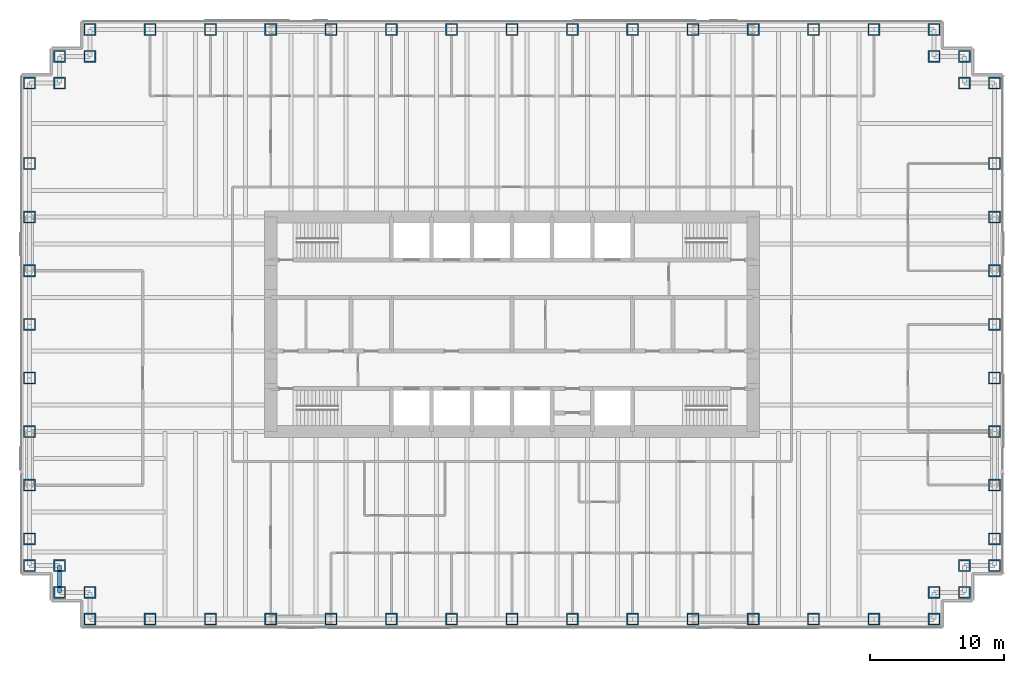
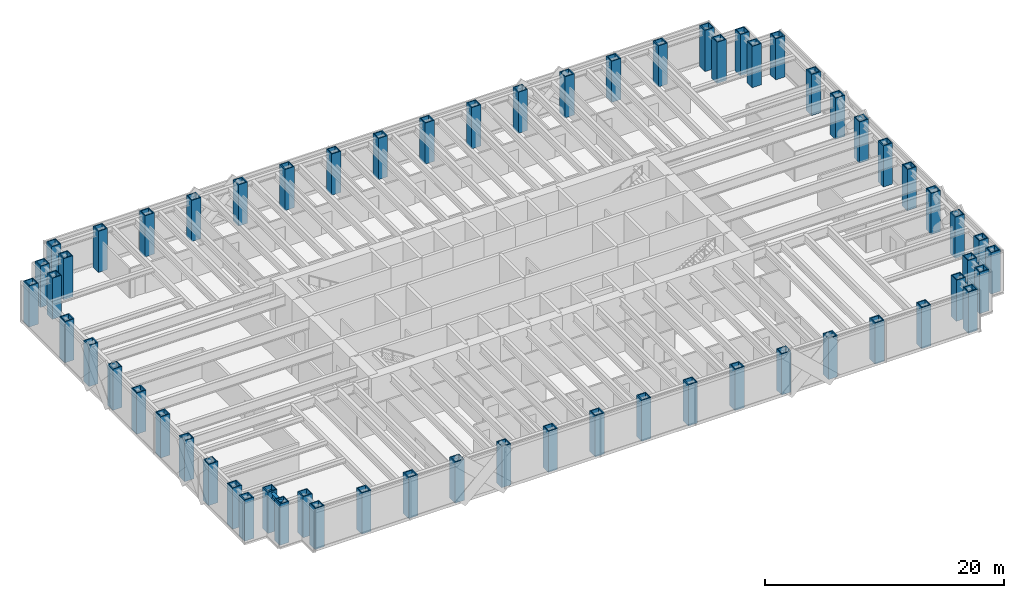
# One storey, part 1 of 19: 62 columns, 1 beam.
"""IFC4 building model written with IfcOpenShell, lengths in metres."""

import ifcopenshell
import ifcopenshell.guid

model = None  # the IFC model being written
_history = None  # IfcOwnerHistory: only IFC2X3 demands one
_inside = {}  # id of a spatial element -> (the spatial element, [elements in it])
_under = {}  # id of a project, library or spatial element -> (it, [spatial elements below it])
_declared = {}  # id of a project -> (the project, [libraries it declares])
_typed = {}  # id of a type object -> (the type object, [elements of that type])
_made_of = {}  # id of a material, layer set ... -> (it, [elements and type objects made of it])


def new_model(schema):
    """Start an empty IFC model of exactly this schema.

    Asked for "IFC4X3", IfcOpenShell would pick the latest addendum, in which some entities
    have other attributes; the version numbers below select the first issue.
    IFC2X3 requires an IfcOwnerHistory on every rooted entity: one is made here for all.
    """
    global model, _history
    if schema == "IFC4X3":
        model = ifcopenshell.file(schema_version=(4, 3, 0, 0))
    else:
        model = ifcopenshell.file(schema=schema)
    _inside.clear()
    _under.clear()
    _declared.clear()
    _typed.clear()
    _made_of.clear()
    _history = None
    if model.schema == "IFC2X3":
        org = make("IfcOrganization", Name="unknown")
        user = make(
            "IfcPersonAndOrganization",
            ThePerson=make("IfcPerson", FamilyName="unknown"),
            TheOrganization=org,
        )
        app = make(
            "IfcApplication",
            ApplicationDeveloper=org,
            Version="unknown",
            ApplicationFullName="unknown",
            ApplicationIdentifier="unknown",
        )
        _history = make(
            "IfcOwnerHistory",
            OwningUser=user,
            OwningApplication=app,
            ChangeAction="ADDED",
            CreationDate=0,
        )
    return model


def make(cls, **values):
    """One entity of the class cls with the attributes given. An attribute that is None is left unset."""
    return model.create_entity(
        cls, **{name: value for name, value in values.items() if value is not None}
    )


def rooted(cls, **values):
    """An entity with a GlobalId (a new one), such as an element, a storey or a relation."""
    return make(cls, GlobalId=ifcopenshell.guid.new(), OwnerHistory=_history, **values)


def si_unit(unit_type, name, prefix=None):
    """IfcSIUnit, for example si_unit("LENGTHUNIT", "METRE", prefix="MILLI")."""
    return make("IfcSIUnit", UnitType=unit_type, Prefix=prefix, Name=name)


def assignment(units):
    """IfcUnitAssignment: the units of a project."""
    return None if units is None else make("IfcUnitAssignment", Units=units)


def point(xyz):
    """IfcCartesianPoint."""
    return None if xyz is None else make("IfcCartesianPoint", Coordinates=xyz)


def direction(xyz):
    """IfcDirection."""
    return None if xyz is None else make("IfcDirection", DirectionRatios=xyz)


def frame(location, z_axis=None, x_axis=None):
    """IfcAxis2Placement3D, a coordinate frame: its origin and axes. An axis left out is left unset."""
    return make(
        "IfcAxis2Placement3D",
        Location=point(location),
        Axis=direction(z_axis),
        RefDirection=direction(x_axis),
    )


def frame_2d(location, x_axis=None):
    """IfcAxis2Placement2D, a coordinate frame in the plane: its origin and x axis."""
    return make(
        "IfcAxis2Placement2D", Location=point(location), RefDirection=direction(x_axis)
    )


def origin():
    """The frame at (0, 0, 0) with its axes left unset."""
    return frame((0.0, 0.0, 0.0))


def origin_2d():
    """The frame at (0, 0) in the plane with its x axis left unset."""
    return frame_2d((0.0, 0.0))


def place(relative_to, where):
    """IfcLocalPlacement: puts the frame where relative to a parent placement (None: the world)."""
    return make(
        "IfcLocalPlacement", PlacementRelTo=relative_to, RelativePlacement=where
    )


def context(
    kind, dimensions, precision=None, world=None, true_north=None, identifier=None
):
    """IfcGeometricRepresentationContext, for example the 3D "Model" context."""
    return make(
        "IfcGeometricRepresentationContext",
        ContextIdentifier=identifier,
        ContextType=kind,
        CoordinateSpaceDimension=dimensions,
        Precision=precision,
        WorldCoordinateSystem=world,
        TrueNorth=true_north,
    )


def subcontext(parent, identifier, kind, view, scale=None):
    """IfcGeometricRepresentationSubContext, for example "Body" below "Model"."""
    return make(
        "IfcGeometricRepresentationSubContext",
        ContextIdentifier=identifier,
        ContextType=kind,
        ParentContext=parent,
        TargetScale=scale,
        TargetView=view,
    )


def project(units=None, contexts=None):
    """IfcProject with its units and contexts."""
    return rooted(
        "IfcProject",
        Name="project",
        RepresentationContexts=contexts,
        UnitsInContext=assignment(units),
    )


def spatial(cls, under=None, at=None, **own):
    """A site, building, storey or space (cls), placed at a placement, below another one or the project."""
    s = rooted(cls, ObjectPlacement=at, **own)
    if under is not None:
        _under.setdefault(under.id(), (under, []))[1].append(s)
    return s


def profile(cls, at=None, kind="AREA", **sizes):
    """A parametric profile (cls). Its sizes go by their IFC names, for example OverallWidth=200.0."""
    return make(cls, ProfileType=kind, Position=at, **sizes)


def hollow_rectangle(**sizes):
    """IfcRectangleHollowProfileDef."""
    return profile("IfcRectangleHollowProfileDef", **sizes)


def i_section(**sizes):
    """IfcIShapeProfileDef."""
    return profile("IfcIShapeProfileDef", **sizes)


def extrude(swept, where, along, depth):
    """IfcExtrudedAreaSolid: the profile swept, set in the frame where, extruded along a direction by depth."""
    return make(
        "IfcExtrudedAreaSolid",
        SweptArea=swept,
        Position=where,
        ExtrudedDirection=direction(along),
        Depth=depth,
    )


def shape(context_of_items, identifier, shape_type, items):
    """IfcShapeRepresentation: the items that make up one representation, for example the "Body"."""
    return make(
        "IfcShapeRepresentation",
        ContextOfItems=context_of_items,
        RepresentationIdentifier=identifier,
        RepresentationType=shape_type,
        Items=items,
    )


def material(Name=None, Category=None):
    """IfcMaterial."""
    return make("IfcMaterial", Name=Name, Category=Category)


def material_profile(
    of_material, cross_section, Name=None, Category=None, Priority=None
):
    """IfcMaterialProfile: a cross section and its material."""
    return make(
        "IfcMaterialProfile",
        Name=Name,
        Material=of_material,
        Profile=cross_section,
        Priority=Priority,
        Category=Category,
    )


def profile_set(profiles, Name=None, composite=None):
    """IfcMaterialProfileSet."""
    return make(
        "IfcMaterialProfileSet",
        Name=Name,
        MaterialProfiles=profiles,
        CompositeProfile=composite,
    )


def made_of(thing, what):
    """Note that an element or type object is made of a material, layer set ...; save() writes the relation."""
    if what is not None:
        _made_of.setdefault(what.id(), (what, []))[1].append(thing)
    return thing


def type_object(cls, material=None, **own):
    """A type object (cls), such as IfcWallType, which elements share."""
    return made_of(rooted(cls, **own), material)


def element(
    cls,
    number,
    at=None,
    inside=None,
    cuts=None,
    type_object=None,
    material=None,
    context=None,
    identifier="Body",
    shape_type=None,
    held_by="IfcProductDefinitionShape",
    body=None,
    shapes=None,
    **own,
):
    """One element of the class cls, such as IfcWall. Its Tag is "e" and its number.

    at: its placement. inside: the storey or other place that contains it. cuts: it is an
    opening in that element (IfcRelVoidsElement). A single representation is given by context,
    identifier, shape_type and body (its items); several are given by shapes. held_by: the class
    of the entity that holds the representations. save() writes the other relations.
    """
    e = rooted(cls, Tag="e%d" % number, ObjectPlacement=at, **own)
    if body is not None:
        shapes = [shape(context, identifier, shape_type, body)]
    if shapes is not None:
        e.Representation = make(held_by, Representations=shapes)
    if inside is not None:
        _inside.setdefault(inside.id(), (inside, []))[1].append(e)
    if cuts is not None:
        rooted(
            "IfcRelVoidsElement", RelatingBuildingElement=cuts, RelatedOpeningElement=e
        )
    if type_object is not None:
        _typed.setdefault(type_object.id(), (type_object, []))[1].append(e)
    return made_of(e, material)


def aggregate(whole, parts):
    """IfcRelAggregates: a whole, such as a stair, and the parts it consists of."""
    return rooted("IfcRelAggregates", RelatingObject=whole, RelatedObjects=parts)


def save(model, path):
    """Write the relations noted so far, then the file.

    IfcRelAggregates (storeys below a building ...), IfcRelContainedInSpatialStructure (elements
    in a storey), IfcRelDefinesByType, IfcRelAssociatesMaterial and IfcRelDeclares: one each for
    every whole, place, type object, material and project.
    """
    for whole, parts in _under.values():
        aggregate(whole, parts)
    for where, things in _inside.values():
        rooted(
            "IfcRelContainedInSpatialStructure",
            RelatedElements=things,
            RelatingStructure=where,
        )
    for kind, things in _typed.values():
        rooted("IfcRelDefinesByType", RelatedObjects=things, RelatingType=kind)
    for what, things in _made_of.values():
        rooted("IfcRelAssociatesMaterial", RelatedObjects=things, RelatingMaterial=what)
    for by, libraries in _declared.values():
        rooted("IfcRelDeclares", RelatingContext=by, RelatedDefinitions=libraries)
    model.write(path)


model = new_model("IFC4")

# Units and contexts
model_context = context("Model", 3, precision=1e-05, world=origin(), true_north=direction((0.0, 1.0)))
body_context = subcontext(model_context, "Body", "Model", "MODEL_VIEW")
ifc_project = project(units=[si_unit("LENGTHUNIT", "METRE"), si_unit("AREAUNIT", "SQUARE_METRE"), si_unit("VOLUMEUNIT", "CUBIC_METRE"), si_unit("PLANEANGLEUNIT", "RADIAN"), si_unit("MASSUNIT", "GRAM", prefix="KILO")], contexts=[model_context])

# Site, building, storey
site_placement = place(None, origin())
site = spatial("IfcSite", under=ifc_project, at=site_placement, CompositionType="ELEMENT")
building_placement = place(site_placement, origin())
building = spatial("IfcBuilding", under=site, at=building_placement, Name="Rheinbord Bourse Tower", CompositionType="ELEMENT")
storey_placement = place(building_placement, frame((0.0, 0.0, 167.699951171875)))
storey = spatial("IfcBuildingStorey", under=building, at=storey_placement, Name="L37", CompositionType="ELEMENT", Elevation=167.699951171875)

# Columns
ifc_material_1 = material(Name="Steel S460M", Category="steel")
ifc_material_profile_1 = material_profile(ifc_material_1, hollow_rectangle(XDim=0.89990234375, YDim=0.89990234375, WallThickness=0.090087890625, at=origin_2d()), Name="BOX 900x900x90")
ifc_profile_set_1 = profile_set([ifc_material_profile_1], Name="Steel S460M")
column_type = type_object("IfcColumnType", Name="TUBE COLUMN BOX 900x900x90", PredefinedType="COLUMN", material=ifc_profile_set_1)
for number, where, z_axis, x_axis, name in (
    (1, (4.5, 2.0, 0.0), (0.0, 0.0, 1.0), (0.0, 1.0, 0.0), "Column SW-E L37"),
    (2, (9.0, 2.0, 0.0), (0.0, 0.0, 1.0), (0.0, 1.0, 0.0), "Column S-9 L37"),
    (3, (13.5, 2.0, 0.0), (0.0, 0.0, 1.0), (0.0, 1.0, 0.0), "Column S-13.5 L37"),
    (4, (18.0, 2.0, 0.0), (0.0, 0.0, 1.0), (0.0, 1.0, 0.0), "Column S-18 L37"),
    (5, (22.5, 2.0, 0.0), (0.0, 0.0, 1.0), (0.0, 1.0, 0.0), "Column S-22.5 L37"),
    (6, (27.0, 2.0, 0.0), (0.0, 0.0, 1.0), (0.0, 1.0, 0.0), "Column S-27 L37"),
    (7, (31.5, 2.0, 0.0), (0.0, 0.0, 1.0), (0.0, 1.0, 0.0), "Column S-31.5 L37"),
    (8, (36.0, 2.0, 0.0), (0.0, 0.0, 1.0), (0.0, 1.0, 0.0), "Column S-36 L37"),
    (9, (40.5, 2.0, 0.0), (0.0, 0.0, 1.0), (0.0, 1.0, 0.0), "Column S-40.5 L37"),
    (10, (45.0, 2.0, 0.0), (0.0, 0.0, 1.0), (0.0, 1.0, 0.0), "Column S-45 L37"),
    (11, (49.5, 2.0, 0.0), (0.0, 0.0, 1.0), (0.0, 1.0, 0.0), "Column S-49.5 L37"),
    (12, (54.0, 2.0, 0.0), (0.0, 0.0, 1.0), (0.0, 1.0, 0.0), "Column S-54 L37"),
    (13, (58.5, 2.0, 0.0), (0.0, 0.0, 1.0), (0.0, 1.0, 0.0), "Column S-58.5 L37"),
    (14, (63.0, 2.0, 0.0), (0.0, 0.0, 1.0), (0.0, 1.0, 0.0), "Column S-63 L37"),
    (15, (67.5, 2.0, 0.0), (0.0, 0.0, 1.0), (0.0, 1.0, 0.0), "Column SE-E L37"),
    (16, (67.5, 4.0, 0.0), (0.0, 0.0, 1.0), (0.0, 1.0, 0.0), "Column SE-D L37"),
    (17, (69.75, 4.0, 0.0), (0.0, 0.0, 1.0), (1.0, 0.0, 0.0), "Column SE-C L37"),
    (18, (69.75, 6.0, 0.0), (0.0, 0.0, 1.0), (1.0, 0.0, 0.0), "Column SE-B L37"),
    (19, (72.0, 6.0, 0.0), (0.0, 0.0, 1.0), (1.0, 0.0, 0.0), "Column SE-A L37"),
    (20, (72.0, 8.0, 0.0), (0.0, 0.0, 1.0), (1.0, 0.0, 0.0), "Column E-8 L37"),
    (21, (72.0, 12.0, 0.0), (0.0, 0.0, 1.0), (1.0, 0.0, 0.0), "Column E-12 L37"),
    (22, (72.0, 16.0, 0.0), (0.0, 0.0, 1.0), (1.0, 0.0, 0.0), "Column E-16 L37"),
    (23, (72.0, 20.0, 0.0), (0.0, 0.0, 1.0), (1.0, 0.0, 0.0), "Column E-20 L37"),
    (24, (72.0, 24.0, 0.0), (0.0, 0.0, 1.0), (1.0, 0.0, 0.0), "Column E-24 L37"),
    (25, (72.0, 28.0, 0.0), (0.0, 0.0, 1.0), (1.0, 0.0, 0.0), "Column E-28 L37"),
    (26, (72.0, 32.0, 0.0), (0.0, 0.0, 1.0), (1.0, 0.0, 0.0), "Column E-32 L37"),
    (27, (72.0, 36.0, 0.0), (0.0, 0.0, 1.0), (1.0, 0.0, 0.0), "Column E-36 L37"),
    (28, (72.0, 42.0, 0.0), (0.0, 0.0, 1.0), (1.0, 0.0, 0.0), "Column NE-A L37"),
    (29, (69.75, 42.0, 0.0), (0.0, 0.0, 1.0), (1.0, 0.0, 0.0), "Column NE-B L37"),
    (30, (69.75, 44.0, 0.0), (0.0, 0.0, 1.0), (1.0, 0.0, 0.0), "Column NE-C L37"),
    (31, (67.5, 44.0, 0.0), (0.0, 0.0, 1.0), (0.0, 1.0, 0.0), "Column NE-D L37"),
    (32, (67.5, 46.0, 0.0), (0.0, 0.0, 1.0), (0.0, 1.0, 0.0), "Column NE-E L37"),
    (33, (63.0, 46.0, 0.0), (0.0, 0.0, 1.0), (0.0, 1.0, 0.0), "Column N-63 L37"),
    (34, (58.5, 46.0, 0.0), (0.0, 0.0, 1.0), (0.0, 1.0, 0.0), "Column N-58.5 L37"),
    (35, (54.0, 46.0, 0.0), (0.0, 0.0, 1.0), (0.0, 1.0, 0.0), "Column N-54 L37"),
    (36, (49.5, 46.0, 0.0), (0.0, 0.0, 1.0), (0.0, 1.0, 0.0), "Column N-49.5 L37"),
    (37, (45.0, 46.0, 0.0), (0.0, 0.0, 1.0), (0.0, 1.0, 0.0), "Column N-45 L37"),
    (38, (40.5, 46.0, 0.0), (0.0, 0.0, 1.0), (0.0, 1.0, 0.0), "Column N-40.5 L37"),
    (39, (36.0, 46.0, 0.0), (0.0, 0.0, 1.0), (0.0, 1.0, 0.0), "Column N-36 L37"),
    (40, (31.5, 46.0, 0.0), (0.0, 0.0, 1.0), (0.0, 1.0, 0.0), "Column N-31.5 L37"),
    (41, (27.0, 46.0, 0.0), (0.0, 0.0, 1.0), (0.0, 1.0, 0.0), "Column N-27 L37"),
    (42, (22.5, 46.0, 0.0), (0.0, 0.0, 1.0), (0.0, 1.0, 0.0), "Column N-22.5 L37"),
    (43, (18.0, 46.0, 0.0), (0.0, 0.0, 1.0), (0.0, 1.0, 0.0), "Column N-18 L37"),
    (44, (13.5, 46.0, 0.0), (0.0, 0.0, 1.0), (0.0, 1.0, 0.0), "Column N-13.5 L37"),
    (45, (9.0, 46.0, 0.0), (0.0, 0.0, 1.0), (0.0, 1.0, 0.0), "Column N-9 L37"),
    (46, (4.5, 46.0, 0.0), (0.0, 0.0, 1.0), (0.0, 1.0, 0.0), "Column NW-E L37"),
    (47, (4.5, 44.0, 0.0), (0.0, 0.0, 1.0), (0.0, 1.0, 0.0), "Column NW-D L37"),
    (48, (2.25, 44.0, 0.0), (0.0, 0.0, 1.0), (1.0, 0.0, 0.0), "Column NW-C L37"),
    (49, (2.25, 42.0, 0.0), (0.0, 0.0, 1.0), (1.0, 0.0, 0.0), "Column NW-B L37"),
    (50, (0.0, 42.0, 0.0), (0.0, 0.0, 1.0), (1.0, 0.0, 0.0), "Column NW-A L37"),
    (51, (0.0, 36.0, 0.0), (0.0, 0.0, 1.0), (1.0, 0.0, 0.0), "Column W-36 L37"),
    (52, (0.0, 32.0, 0.0), (0.0, 0.0, 1.0), (1.0, 0.0, 0.0), "Column W-32 L37"),
    (53, (0.0, 28.0, 0.0), (0.0, 0.0, 1.0), (1.0, 0.0, 0.0), "Column W-28 L37"),
    (54, (0.0, 24.0, 0.0), (0.0, 0.0, 1.0), (1.0, 0.0, 0.0), "Column W-24 L37"),
    (55, (0.0, 20.0, 0.0), (0.0, 0.0, 1.0), (1.0, 0.0, 0.0), "Column W-20 L37"),
    (56, (0.0, 16.0, 0.0), (0.0, 0.0, 1.0), (1.0, 0.0, 0.0), "Column W-16 L37"),
    (57, (0.0, 12.0, 0.0), (0.0, 0.0, 1.0), (1.0, 0.0, 0.0), "Column W-12 L37"),
    (58, (0.0, 8.0, 0.0), (0.0, 0.0, 1.0), (1.0, 0.0, 0.0), "Column W-8 L37"),
    (59, (0.0, 6.0, 0.0), (0.0, 0.0, 1.0), (1.0, 0.0, 0.0), "Column SW-A L37"),
    (60, (2.25, 6.0, 0.0), (0.0, 0.0, 1.0), (1.0, 0.0, 0.0), "Column SW-B L37"),
    (61, (2.25, 4.0, 0.0), (0.0, 0.0, 1.0), (1.0, 0.0, 0.0), "Column SW-C L37"),
    (62, (4.5, 4.0, 0.0), (0.0, 0.0, 1.0), (0.0, 1.0, 0.0), "Column SW-D L37"),
):
    element("IfcColumn", number, at=place(storey_placement, frame(where, z_axis=z_axis, x_axis=x_axis)), inside=storey, type_object=column_type, Name=name, PredefinedType="COLUMN", context=body_context, shape_type="SweptSolid", body=[
        extrude(hollow_rectangle(XDim=0.89990234375, YDim=0.89990234375, WallThickness=0.090087890625, at=origin_2d()), origin(), (0.0, 0.0, 1.0), 4.199951171875),
    ])

# Beam
ifc_material_2 = material(Name="Steel S460", Category="steel")
ifc_material_profile_2 = material_profile(ifc_material_2, i_section(OverallWidth=0.305908203125, OverallDepth=0.572021484375, WebThickness=0.02099609375, FlangeThickness=0.0400390625, at=origin_2d()), Name="HEM 550")
ifc_profile_set_2 = profile_set([ifc_material_profile_2], Name="Steel S460")
beam_type = type_object("IfcBeamType", Name="SPANDREL HEM 550", PredefinedType="SPANDREL", material=ifc_profile_set_2)
beam_placement = place(storey_placement, frame((2.25, 6.0, 3.754150390625), z_axis=(0.0, -1.0, 0.0), x_axis=(1.0, 0.0, 0.0)))
element("IfcBeam", 63, at=beam_placement, inside=storey, type_object=beam_type, Name="Spandrel SW-B-SW-C under L38", PredefinedType="SPANDREL", context=body_context, shape_type="SweptSolid", body=[
    extrude(i_section(OverallWidth=0.305908203125, OverallDepth=0.572021484375, WebThickness=0.02099609375, FlangeThickness=0.0400390625, at=origin_2d()), origin(), (0.0, 0.0, 1.0), 2.0),
])

save(model, "model.ifc")
